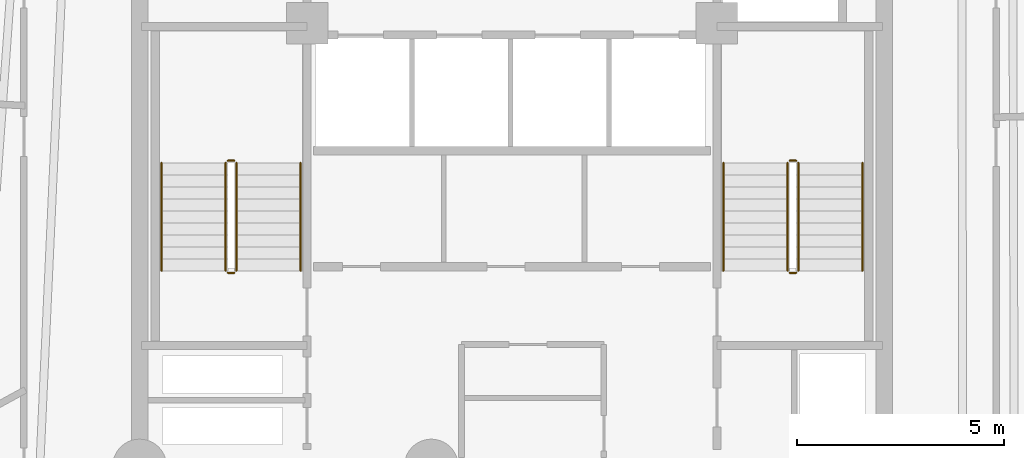
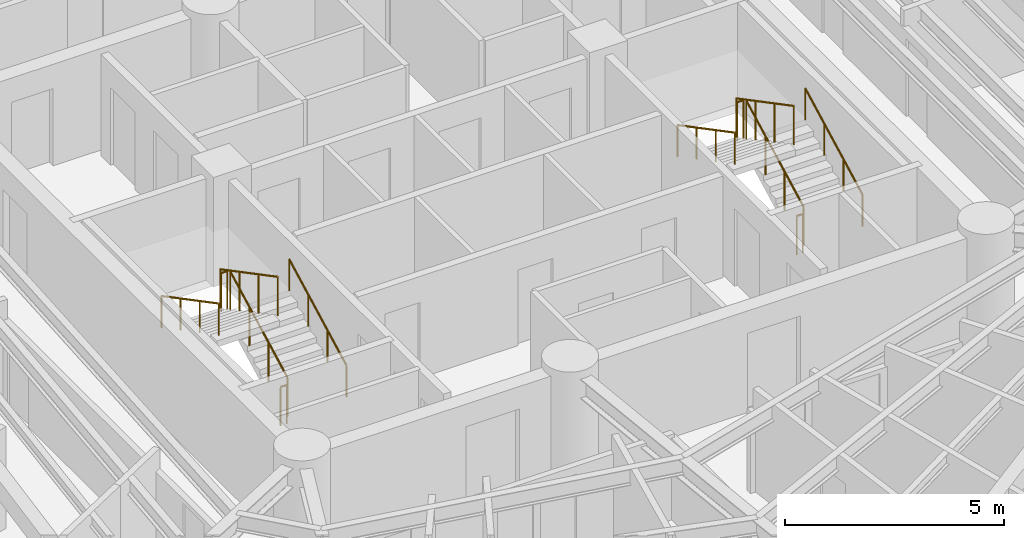
# One storey, part 8 of 8: 12 railings.
"""IFC4 building model written with IfcOpenShell, lengths in metres."""

from ifc_helpers import new_model, si_unit, direction, frame, origin, origin_2d, place, context, subcontext, project, spatial, circle, extrude, material, layer, layer_set, type_object, element, save


model = new_model("IFC4")

# Units and contexts
model_context = context("Model", 3, precision=1e-05, world=origin(), true_north=direction((0.0, 1.0)))
body_context = subcontext(model_context, "Body", "Model", "MODEL_VIEW")
ifc_project = project(units=[si_unit("LENGTHUNIT", "METRE"), si_unit("AREAUNIT", "SQUARE_METRE"), si_unit("VOLUMEUNIT", "CUBIC_METRE"), si_unit("PLANEANGLEUNIT", "RADIAN"), si_unit("MASSUNIT", "GRAM", prefix="KILO")], contexts=[model_context])

# Site, building, storey
site_placement = place(None, origin())
site = spatial("IfcSite", under=ifc_project, at=site_placement, CompositionType="ELEMENT")
building_placement = place(site_placement, origin())
building = spatial("IfcBuilding", under=site, at=building_placement, Name="Karkom Vertical University and Central Library", CompositionType="ELEMENT")
storey_placement = place(building_placement, frame((0.0, 0.0, 184.0)))
storey = spatial("IfcBuildingStorey", under=building, at=storey_placement, Name="L53", CompositionType="ELEMENT", Elevation=184.0)

# Railings
ifc_material_1 = material(Name="Painted galvanised steel balustrade", Category="steel")
ifc_layer_1 = layer(ifc_material_1, 0.06005859375)
ifc_layer_set_1 = layer_set([ifc_layer_1], Name="Painted galvanised steel balustrade")
railing_type_1 = type_object("IfcRailingType", Name="INT-RL-GUARD1100", PredefinedType="GUARDRAIL", material=ifc_layer_set_1)
railing_1_placement = place(storey_placement, frame((21.840087890625, 23.02001953125, 0.152587890625)))
element("IfcRailing", 1, at=railing_1_placement, inside=storey, type_object=railing_type_1, Name="Level 53 ST-1 stair guard 1", PredefinedType="GUARDRAIL", context=body_context, shape_type="SweptSolid", body=[
    extrude(circle(Radius=0.02392578125, at=origin_2d()), frame((0.0, 0.0, 1.076171875), z_axis=(0.0, 0.885099554253, 0.465401739426), x_axis=(-1.0, 0.0, 0.0)), (0.0, 0.0, 1.0), 2.94873046875),
    extrude(circle(Radius=0.02099609375, at=origin_2d()), origin(), (0.0, 0.0, 1.0), 1.052001953125),
    extrude(circle(Radius=0.02099609375, at=origin_2d()), frame((0.0, 0.869873046875, 0.45751953125)), (0.0, 0.0, 1.0), 1.052001953125),
    extrude(circle(Radius=0.02099609375, at=origin_2d()), frame((0.0, 1.739990234375, 0.914794921875)), (0.0, 0.0, 1.0), 1.052001953125),
    extrude(circle(Radius=0.02099609375, at=origin_2d()), frame((0.0, 2.60986328125, 1.372314453125)), (0.0, 0.0, 1.0), 1.052001953125),
])
railing_2_placement = place(storey_placement, frame((21.7900390625, 25.679931640625, 1.52490234375)))
element("IfcRailing", 2, at=railing_2_placement, inside=storey, type_object=railing_type_1, Name="Level 53 ST-1 stair guard 2", PredefinedType="GUARDRAIL", context=body_context, shape_type="SweptSolid", body=[
    extrude(circle(Radius=0.02392578125, at=origin_2d()), frame((0.0, 0.0, 1.076171875), z_axis=(-1.0, 0.0, 0.0), x_axis=(0.0, -1.0, 0.0)), (0.0, 0.0, 1.0), 0.16015625),
    extrude(circle(Radius=0.02099609375, at=origin_2d()), origin(), (0.0, 0.0, 1.0), 1.052001953125),
    extrude(circle(Radius=0.02099609375, at=origin_2d()), frame((-0.16015625, 0.0, 0.0)), (0.0, 0.0, 1.0), 1.052001953125),
])
railing_3_placement = place(storey_placement, frame((21.580078125, 25.6298828125, 1.677490234375)))
element("IfcRailing", 3, at=railing_3_placement, inside=storey, type_object=railing_type_1, Name="Level 53 ST-1 stair guard 3", PredefinedType="GUARDRAIL", context=body_context, shape_type="SweptSolid", body=[
    extrude(circle(Radius=0.02392578125, at=origin_2d()), frame((0.0, 0.0, 1.076171875), z_axis=(0.0, -0.885065446896, 0.46546659892), x_axis=(1.0, 0.0, 0.0)), (0.0, 0.0, 1.0), 2.94873046875),
    extrude(circle(Radius=0.02099609375, at=origin_2d()), origin(), (0.0, 0.0, 1.0), 1.052001953125),
    extrude(circle(Radius=0.02099609375, at=origin_2d()), frame((0.0, -0.869873046875, 0.45751953125)), (0.0, 0.0, 1.0), 1.052001953125),
    extrude(circle(Radius=0.02099609375, at=origin_2d()), frame((0.0, -1.739990234375, 0.9150390625)), (0.0, 0.0, 1.0), 1.052001953125),
    extrude(circle(Radius=0.02099609375, at=origin_2d()), frame((0.0, -2.60986328125, 1.37255859375)), (0.0, 0.0, 1.0), 1.052001953125),
])
railing_4_placement = place(storey_placement, frame((21.7900390625, 22.969970703125, 0.0)))
element("IfcRailing", 4, at=railing_4_placement, inside=storey, type_object=railing_type_1, Name="Level 53 ST-1 stair guard 4", PredefinedType="GUARDRAIL", context=body_context, shape_type="SweptSolid", body=[
    extrude(circle(Radius=0.02392578125, at=origin_2d()), frame((0.0, 0.0, 1.076171875), z_axis=(-1.0, 0.0, 0.0), x_axis=(0.0, -1.0, 0.0)), (0.0, 0.0, 1.0), 0.16015625),
    extrude(circle(Radius=0.02099609375, at=origin_2d()), origin(), (0.0, 0.0, 1.0), 1.052001953125),
    extrude(circle(Radius=0.02099609375, at=origin_2d()), frame((-0.16015625, 0.0, 0.0)), (0.0, 0.0, 1.0), 1.052001953125),
])
railing_5_placement = place(storey_placement, frame((35.419921875, 23.02001953125, 0.152587890625)))
element("IfcRailing", 5, at=railing_5_placement, inside=storey, type_object=railing_type_1, Name="Level 53 ST-2 stair guard 1", PredefinedType="GUARDRAIL", context=body_context, shape_type="SweptSolid", body=[
    extrude(circle(Radius=0.02392578125, at=origin_2d()), frame((0.0, 0.0, 1.076171875), z_axis=(0.0, 0.885099554253, 0.465401739426), x_axis=(-1.0, 0.0, 0.0)), (0.0, 0.0, 1.0), 2.94873046875),
    extrude(circle(Radius=0.02099609375, at=origin_2d()), origin(), (0.0, 0.0, 1.0), 1.052001953125),
    extrude(circle(Radius=0.02099609375, at=origin_2d()), frame((0.0, 0.869873046875, 0.45751953125)), (0.0, 0.0, 1.0), 1.052001953125),
    extrude(circle(Radius=0.02099609375, at=origin_2d()), frame((0.0, 1.739990234375, 0.914794921875)), (0.0, 0.0, 1.0), 1.052001953125),
    extrude(circle(Radius=0.02099609375, at=origin_2d()), frame((0.0, 2.60986328125, 1.372314453125)), (0.0, 0.0, 1.0), 1.052001953125),
])
railing_6_placement = place(storey_placement, frame((35.3701171875, 25.679931640625, 1.52490234375)))
element("IfcRailing", 6, at=railing_6_placement, inside=storey, type_object=railing_type_1, Name="Level 53 ST-2 stair guard 2", PredefinedType="GUARDRAIL", context=body_context, shape_type="SweptSolid", body=[
    extrude(circle(Radius=0.02392578125, at=origin_2d()), frame((0.0, 0.0, 1.076171875), z_axis=(-1.0, 0.0, 0.0), x_axis=(0.0, -1.0, 0.0)), (0.0, 0.0, 1.0), 0.16015625),
    extrude(circle(Radius=0.02099609375, at=origin_2d()), origin(), (0.0, 0.0, 1.0), 1.052001953125),
    extrude(circle(Radius=0.02099609375, at=origin_2d()), frame((-0.16015625, 0.0, 0.0)), (0.0, 0.0, 1.0), 1.052001953125),
])
railing_7_placement = place(storey_placement, frame((35.159912109375, 25.6298828125, 1.677490234375)))
element("IfcRailing", 7, at=railing_7_placement, inside=storey, type_object=railing_type_1, Name="Level 53 ST-2 stair guard 3", PredefinedType="GUARDRAIL", context=body_context, shape_type="SweptSolid", body=[
    extrude(circle(Radius=0.02392578125, at=origin_2d()), frame((0.0, 0.0, 1.076171875), z_axis=(0.0, -0.885065446896, 0.46546659892), x_axis=(1.0, 0.0, 0.0)), (0.0, 0.0, 1.0), 2.94873046875),
    extrude(circle(Radius=0.02099609375, at=origin_2d()), origin(), (0.0, 0.0, 1.0), 1.052001953125),
    extrude(circle(Radius=0.02099609375, at=origin_2d()), frame((0.0, -0.869873046875, 0.45751953125)), (0.0, 0.0, 1.0), 1.052001953125),
    extrude(circle(Radius=0.02099609375, at=origin_2d()), frame((0.0, -1.739990234375, 0.9150390625)), (0.0, 0.0, 1.0), 1.052001953125),
    extrude(circle(Radius=0.02099609375, at=origin_2d()), frame((0.0, -2.60986328125, 1.37255859375)), (0.0, 0.0, 1.0), 1.052001953125),
])
railing_8_placement = place(storey_placement, frame((35.3701171875, 22.969970703125, 0.0)))
element("IfcRailing", 8, at=railing_8_placement, inside=storey, type_object=railing_type_1, Name="Level 53 ST-2 stair guard 4", PredefinedType="GUARDRAIL", context=body_context, shape_type="SweptSolid", body=[
    extrude(circle(Radius=0.02392578125, at=origin_2d()), frame((0.0, 0.0, 1.076171875), z_axis=(-1.0, 0.0, 0.0), x_axis=(0.0, -1.0, 0.0)), (0.0, 0.0, 1.0), 0.16015625),
    extrude(circle(Radius=0.02099609375, at=origin_2d()), origin(), (0.0, 0.0, 1.0), 1.052001953125),
    extrude(circle(Radius=0.02099609375, at=origin_2d()), frame((-0.16015625, 0.0, 0.0)), (0.0, 0.0, 1.0), 1.052001953125),
])
ifc_material_2 = material(Name="Brushed stainless-steel tubular handrail", Category="steel")
ifc_layer_2 = layer(ifc_material_2, 0.048095703125)
ifc_layer_set_2 = layer_set([ifc_layer_2], Name="Brushed stainless-steel tubular handrail")
railing_type_2 = type_object("IfcRailingType", Name="INT-RL-HAND920", PredefinedType="HANDRAIL", material=ifc_layer_set_2)
railing_9_placement = place(storey_placement, frame((23.389892578125, 23.02001953125, 0.152587890625)))
element("IfcRailing", 9, at=railing_9_placement, inside=storey, type_object=railing_type_2, Name="Level 53 ST-1 stair handrail 1", PredefinedType="HANDRAIL", context=body_context, shape_type="SweptSolid", body=[
    extrude(circle(Radius=0.02392578125, at=origin_2d()), frame((0.0, 0.0, 0.8759765625), z_axis=(0.0, 0.885099554253, 0.465401739426), x_axis=(-1.0, 0.0, 0.0)), (0.0, 0.0, 1.0), 2.94873046875),
    extrude(circle(Radius=0.02099609375, at=origin_2d()), origin(), (0.0, 0.0, 1.0), 0.851806640625),
    extrude(circle(Radius=0.02099609375, at=origin_2d()), frame((0.0, 0.869873046875, 0.45751953125)), (0.0, 0.0, 1.0), 0.851806640625),
    extrude(circle(Radius=0.02099609375, at=origin_2d()), frame((0.0, 1.739990234375, 0.914794921875)), (0.0, 0.0, 1.0), 0.851806640625),
    extrude(circle(Radius=0.02099609375, at=origin_2d()), frame((0.0, 2.60986328125, 1.372314453125)), (0.0, 0.0, 1.0), 0.851806640625),
])
railing_10_placement = place(storey_placement, frame((20.030029296875, 25.6298828125, 1.677490234375)))
element("IfcRailing", 10, at=railing_10_placement, inside=storey, type_object=railing_type_2, Name="Level 53 ST-1 stair handrail 2", PredefinedType="HANDRAIL", context=body_context, shape_type="SweptSolid", body=[
    extrude(circle(Radius=0.02392578125, at=origin_2d()), frame((0.0, 0.0, 0.8759765625), z_axis=(0.0, -0.885065446896, 0.46546659892), x_axis=(1.0, 0.0, 0.0)), (0.0, 0.0, 1.0), 2.94873046875),
    extrude(circle(Radius=0.02099609375, at=origin_2d()), origin(), (0.0, 0.0, 1.0), 0.851806640625),
    extrude(circle(Radius=0.02099609375, at=origin_2d()), frame((0.0, -0.869873046875, 0.45751953125)), (0.0, 0.0, 1.0), 0.851806640625),
    extrude(circle(Radius=0.02099609375, at=origin_2d()), frame((0.0, -1.739990234375, 0.9150390625)), (0.0, 0.0, 1.0), 0.851806640625),
    extrude(circle(Radius=0.02099609375, at=origin_2d()), frame((0.0, -2.60986328125, 1.37255859375)), (0.0, 0.0, 1.0), 0.851806640625),
])
railing_11_placement = place(storey_placement, frame((36.969970703125, 23.02001953125, 0.152587890625)))
element("IfcRailing", 11, at=railing_11_placement, inside=storey, type_object=railing_type_2, Name="Level 53 ST-2 stair handrail 1", PredefinedType="HANDRAIL", context=body_context, shape_type="SweptSolid", body=[
    extrude(circle(Radius=0.02392578125, at=origin_2d()), frame((0.0, 0.0, 0.8759765625), z_axis=(0.0, 0.885099554253, 0.465401739426), x_axis=(-1.0, 0.0, 0.0)), (0.0, 0.0, 1.0), 2.94873046875),
    extrude(circle(Radius=0.02099609375, at=origin_2d()), origin(), (0.0, 0.0, 1.0), 0.851806640625),
    extrude(circle(Radius=0.02099609375, at=origin_2d()), frame((0.0, 0.869873046875, 0.45751953125)), (0.0, 0.0, 1.0), 0.851806640625),
    extrude(circle(Radius=0.02099609375, at=origin_2d()), frame((0.0, 1.739990234375, 0.914794921875)), (0.0, 0.0, 1.0), 0.851806640625),
    extrude(circle(Radius=0.02099609375, at=origin_2d()), frame((0.0, 2.60986328125, 1.372314453125)), (0.0, 0.0, 1.0), 0.851806640625),
])
railing_12_placement = place(storey_placement, frame((33.610107421875, 25.6298828125, 1.677490234375)))
element("IfcRailing", 12, at=railing_12_placement, inside=storey, type_object=railing_type_2, Name="Level 53 ST-2 stair handrail 2", PredefinedType="HANDRAIL", context=body_context, shape_type="SweptSolid", body=[
    extrude(circle(Radius=0.02392578125, at=origin_2d()), frame((0.0, 0.0, 0.8759765625), z_axis=(0.0, -0.885065446896, 0.46546659892), x_axis=(1.0, 0.0, 0.0)), (0.0, 0.0, 1.0), 2.94873046875),
    extrude(circle(Radius=0.02099609375, at=origin_2d()), origin(), (0.0, 0.0, 1.0), 0.851806640625),
    extrude(circle(Radius=0.02099609375, at=origin_2d()), frame((0.0, -0.869873046875, 0.45751953125)), (0.0, 0.0, 1.0), 0.851806640625),
    extrude(circle(Radius=0.02099609375, at=origin_2d()), frame((0.0, -1.739990234375, 0.9150390625)), (0.0, 0.0, 1.0), 0.851806640625),
    extrude(circle(Radius=0.02099609375, at=origin_2d()), frame((0.0, -2.60986328125, 1.37255859375)), (0.0, 0.0, 1.0), 0.851806640625),
])

save(model, "model.ifc")
